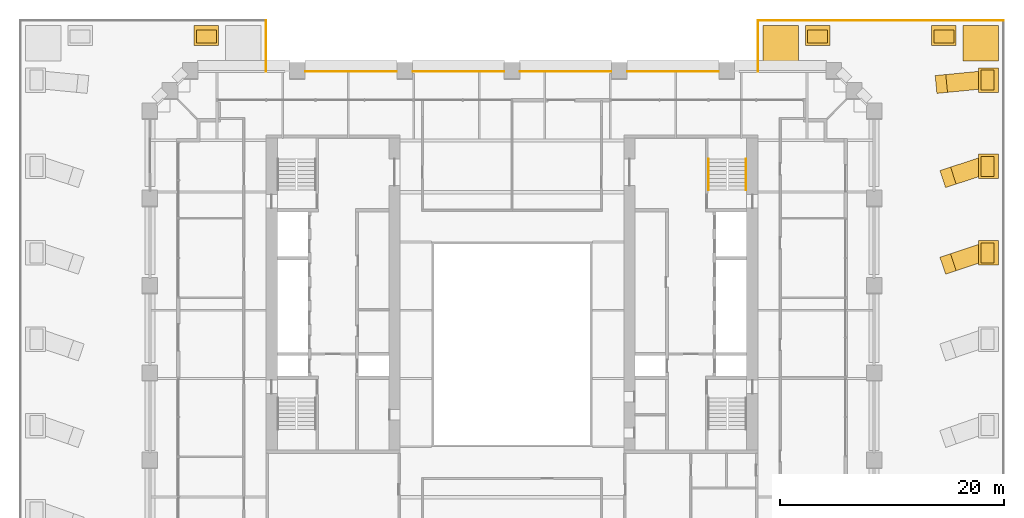
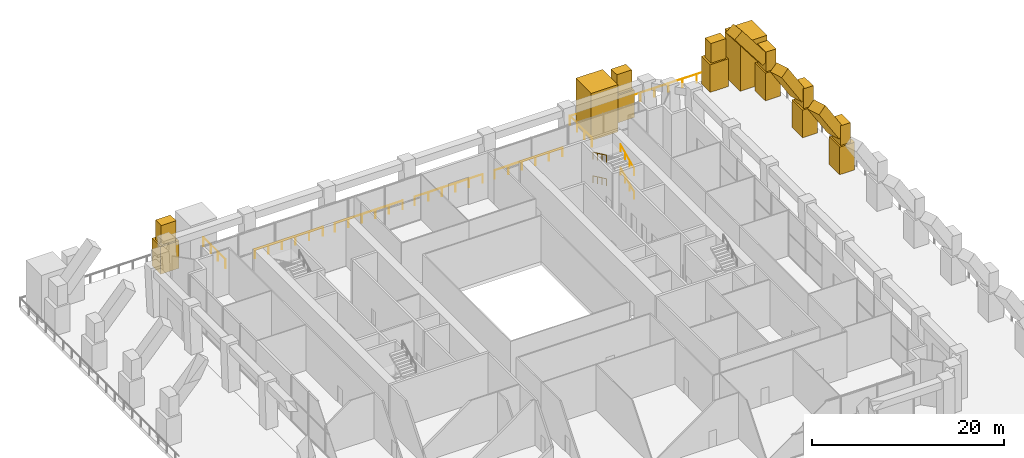
# One storey, part 20 of 20: 17 coverings, 11 railings.
"""IFC4 building model written with IfcOpenShell, lengths in metres."""

from ifc_helpers import new_model, si_unit, direction, frame, origin, origin_2d, place, context, subcontext, project, spatial, rectangle, circle, extrude, material, material_profile, profile_set, type_object, element, save


model = new_model("IFC4")

# Units and contexts
model_context = context("Model", 3, precision=1e-05, world=origin(), true_north=direction((0.0, 1.0)))
body_context = subcontext(model_context, "Body", "Model", "MODEL_VIEW")
ifc_project = project(units=[si_unit("LENGTHUNIT", "METRE"), si_unit("AREAUNIT", "SQUARE_METRE"), si_unit("VOLUMEUNIT", "CUBIC_METRE"), si_unit("PLANEANGLEUNIT", "RADIAN"), si_unit("MASSUNIT", "GRAM", prefix="KILO")], contexts=[model_context])

# Site, building, storey
site_placement = place(None, origin())
site = spatial("IfcSite", under=ifc_project, at=site_placement, CompositionType="ELEMENT")
building_placement = place(site_placement, origin())
building = spatial("IfcBuilding", under=site, at=building_placement, Name="Ogive Exchange Tower", CompositionType="ELEMENT")
storey_placement = place(building_placement, frame((0.0, 0.0, 33.60009765625)))
storey = spatial("IfcBuildingStorey", under=building, at=storey_placement, Name="L06", CompositionType="ELEMENT", Elevation=33.60009765625)

# Railings
ifc_material_1 = material(Name="Stainless steel 316", Category="steel")
railing_type_1 = type_object("IfcRailingType", Name="Balustrade 1100 glass and stainless steel", PredefinedType="BALUSTRADE", material=ifc_material_1)
railing_1_placement = place(storey_placement, frame((-22.0, 36.0, 0.0)))
element("IfcRailing", 1, at=railing_1_placement, inside=storey, type_object=railing_type_1, Name="Terrace balustrade 3", PredefinedType="BALUSTRADE", context=body_context, shape_type="SweptSolid", body=[
    extrude(circle(Radius=0.02392578125, at=origin_2d()), frame((0.0, 0.0, 1.076171875), z_axis=(0.0, -1.0, 0.0), x_axis=(1.0, 0.0, 0.0)), (0.0, 0.0, 1.0), 4.60009765625),
    extrude(circle(Radius=0.02099609375, at=origin_2d()), origin(), (0.0, 0.0, 1.0), 1.052001953125),
    extrude(circle(Radius=0.02099609375, at=origin_2d()), frame((0.0, -1.533447265625, 0.0)), (0.0, 0.0, 1.0), 1.052001953125),
    extrude(circle(Radius=0.02099609375, at=origin_2d()), frame((0.0, -3.066650390625, 0.0)), (0.0, 0.0, 1.0), 1.052001953125),
    extrude(circle(Radius=0.02099609375, at=origin_2d()), frame((0.0, -4.60009765625, 0.0)), (0.0, 0.0, 1.0), 1.052001953125),
])
railing_2_placement = place(storey_placement, frame((22.0, 31.39990234375, 0.0)))
element("IfcRailing", 2, at=railing_2_placement, inside=storey, type_object=railing_type_1, Name="Terrace balustrade 4", PredefinedType="BALUSTRADE", context=body_context, shape_type="SweptSolid", body=[
    extrude(circle(Radius=0.02392578125, at=origin_2d()), frame((0.0, 0.0, 1.076171875), z_axis=(0.0, 1.0, 0.0), x_axis=(-1.0, 0.0, 0.0)), (0.0, 0.0, 1.0), 4.60009765625),
    extrude(circle(Radius=0.02099609375, at=origin_2d()), origin(), (0.0, 0.0, 1.0), 1.052001953125),
    extrude(circle(Radius=0.02099609375, at=origin_2d()), frame((0.0, 1.533447265625, 0.0)), (0.0, 0.0, 1.0), 1.052001953125),
    extrude(circle(Radius=0.02099609375, at=origin_2d()), frame((0.0, 3.066650390625, 0.0)), (0.0, 0.0, 1.0), 1.052001953125),
    extrude(circle(Radius=0.02099609375, at=origin_2d()), frame((0.0, 4.60009765625, 0.0)), (0.0, 0.0, 1.0), 1.052001953125),
])
railing_3_placement = place(storey_placement, frame((22.0, 36.0, 0.0)))
element("IfcRailing", 3, at=railing_3_placement, inside=storey, type_object=railing_type_1, Name="Terrace balustrade 5", PredefinedType="BALUSTRADE", context=body_context, shape_type="SweptSolid", body=[
    extrude(circle(Radius=0.02392578125, at=origin_2d()), frame((0.0, 0.0, 1.076171875), z_axis=(1.0, 0.0, 0.0), x_axis=(0.0, 1.0, 0.0)), (0.0, 0.0, 1.0), 22.0),
    extrude(circle(Radius=0.02099609375, at=origin_2d()), origin(), (0.0, 0.0, 1.0), 1.052001953125),
    extrude(circle(Radius=0.02099609375, at=origin_2d()), frame((1.6923828125, 0.0, 0.0)), (0.0, 0.0, 1.0), 1.052001953125),
    extrude(circle(Radius=0.02099609375, at=origin_2d()), frame((3.384521484375, 0.0, 0.0)), (0.0, 0.0, 1.0), 1.052001953125),
    extrude(circle(Radius=0.02099609375, at=origin_2d()), frame((5.076904296875, 0.0, 0.0)), (0.0, 0.0, 1.0), 1.052001953125),
    extrude(circle(Radius=0.02099609375, at=origin_2d()), frame((6.769287109375, 0.0, 0.0)), (0.0, 0.0, 1.0), 1.052001953125),
    extrude(circle(Radius=0.02099609375, at=origin_2d()), frame((8.46142578125, 0.0, 0.0)), (0.0, 0.0, 1.0), 1.052001953125),
    extrude(circle(Radius=0.02099609375, at=origin_2d()), frame((10.15380859375, 0.0, 0.0)), (0.0, 0.0, 1.0), 1.052001953125),
    extrude(circle(Radius=0.02099609375, at=origin_2d()), frame((11.84619140625, 0.0, 0.0)), (0.0, 0.0, 1.0), 1.052001953125),
    extrude(circle(Radius=0.02099609375, at=origin_2d()), frame((13.53857421875, 0.0, 0.0)), (0.0, 0.0, 1.0), 1.052001953125),
    extrude(circle(Radius=0.02099609375, at=origin_2d()), frame((15.230712890625, 0.0, 0.0)), (0.0, 0.0, 1.0), 1.052001953125),
    extrude(circle(Radius=0.02099609375, at=origin_2d()), frame((16.923095703125, 0.0, 0.0)), (0.0, 0.0, 1.0), 1.052001953125),
    extrude(circle(Radius=0.02099609375, at=origin_2d()), frame((18.615478515625, 0.0, 0.0)), (0.0, 0.0, 1.0), 1.052001953125),
    extrude(circle(Radius=0.02099609375, at=origin_2d()), frame((20.3076171875, 0.0, 0.0)), (0.0, 0.0, 1.0), 1.052001953125),
    extrude(circle(Radius=0.02099609375, at=origin_2d()), frame((22.0, 0.0, 0.0)), (0.0, 0.0, 1.0), 1.052001953125),
])
railing_type_2 = type_object("IfcRailingType", Name="Guard 1100 stainless steel and glass", PredefinedType="GUARDRAIL", material=ifc_material_1)
for number, where, name in (
    (4, (18.47998046875, 31.39990234375, 0.0), "Loggia guard N01"),
    (5, (8.8798828125, 31.39990234375, 0.0), "Loggia guard N02"),
    (6, (-0.719970703125, 31.39990234375, 0.0), "Loggia guard N03"),
    (7, (-10.320068359375, 31.39990234375, 0.0), "Loggia guard N04"),
):
    element("IfcRailing", number, at=place(storey_placement, frame(where)), inside=storey, type_object=railing_type_2, Name=name, PredefinedType="GUARDRAIL", context=body_context, shape_type="SweptSolid", body=[
        extrude(circle(Radius=0.02392578125, at=origin_2d()), frame((0.0, 0.0, 1.076171875), z_axis=(-1.0, 0.0, 0.0), x_axis=(0.0, -1.0, 0.0)), (0.0, 0.0, 1.0), 8.159912109375),
        extrude(circle(Radius=0.02099609375, at=origin_2d()), origin(), (0.0, 0.0, 1.0), 1.052001953125),
        extrude(circle(Radius=0.02099609375, at=origin_2d()), frame((-1.632080078125, 0.0, 0.0)), (0.0, 0.0, 1.0), 1.052001953125),
        extrude(circle(Radius=0.02099609375, at=origin_2d()), frame((-3.263916015625, 0.0, 0.0)), (0.0, 0.0, 1.0), 1.052001953125),
        extrude(circle(Radius=0.02099609375, at=origin_2d()), frame((-4.89599609375, 0.0, 0.0)), (0.0, 0.0, 1.0), 1.052001953125),
        extrude(circle(Radius=0.02099609375, at=origin_2d()), frame((-6.52783203125, 0.0, 0.0)), (0.0, 0.0, 1.0), 1.052001953125),
        extrude(circle(Radius=0.02099609375, at=origin_2d()), frame((-8.159912109375, 0.0, 0.0)), (0.0, 0.0, 1.0), 1.052001953125),
    ])

# Coverings
ifc_material_2 = material(Name="Precast concrete C50/60", Category="concrete")
ifc_material_profile_1 = material_profile(ifc_material_2, rectangle(XDim=2.199951171875, YDim=1.800048828125, at=origin_2d()), Name="BUTTRESS PIER 1 2200 x 1800")
ifc_profile_set_1 = profile_set([ifc_material_profile_1], Name="Precast concrete C50/60")
covering_type_1 = type_object("IfcCoveringType", Name="Precast buttress pier stage 1 2200 x 1800 C50/60", PredefinedType="CLADDING", material=ifc_profile_set_1)
for number, where, z_axis, x_axis, name in (
    (8, (38.64990234375, 34.64990234375, 0.0), (0.0, 0.0, 1.0), (1.0, 0.0, 0.0), "Buttress pier 1 stage 1"),
    (9, (27.35009765625, 34.64990234375, 0.0), (0.0, 0.0, 1.0), (1.0, 0.0, 0.0), "Buttress pier 2 stage 1"),
    (10, (-27.35009765625, 34.64990234375, 0.0), (0.0, 0.0, 1.0), (1.0, 0.0, 0.0), "Buttress pier 3 stage 1"),
    (11, (42.64990234375, 15.18994140625, 0.0), (0.0, 0.0, 1.0), (0.0, 1.0, 0.0), "Buttress pier 35 stage 1"),
    (12, (42.64990234375, 22.919921875, 0.0), (0.0, 0.0, 1.0), (0.0, 1.0, 0.0), "Buttress pier 36 stage 1"),
    (13, (42.64990234375, 30.64990234375, 0.0), (0.0, 0.0, 1.0), (0.0, 1.0, 0.0), "Buttress pier 37 stage 1"),
):
    element("IfcCovering", number, at=place(storey_placement, frame(where, z_axis=z_axis, x_axis=x_axis)), inside=storey, type_object=covering_type_1, Name=name, PredefinedType="CLADDING", context=body_context, shape_type="SweptSolid", body=[
        extrude(rectangle(XDim=2.199951171875, YDim=1.800048828125, at=origin_2d()), origin(), (0.0, 0.0, 1.0), 3.5),
    ])
ifc_material_profile_2 = material_profile(ifc_material_2, rectangle(XDim=1.800048828125, YDim=1.199951171875, at=origin_2d()), Name="BUTTRESS PIER 2 1800 x 1200")
ifc_profile_set_2 = profile_set([ifc_material_profile_2], Name="Precast concrete C50/60")
covering_type_2 = type_object("IfcCoveringType", Name="Precast buttress pier stage 2 1800 x 1200 C50/60", PredefinedType="CLADDING", material=ifc_profile_set_2)
for number, where, z_axis, x_axis, name in (
    (14, (38.64990234375, 34.550048828125, 3.5), (0.0, 0.0, 1.0), (1.0, 0.0, 0.0), "Buttress pier 1 stage 2"),
    (15, (27.35009765625, 34.550048828125, 3.5), (0.0, 0.0, 1.0), (1.0, 0.0, 0.0), "Buttress pier 2 stage 2"),
    (16, (-27.35009765625, 34.550048828125, 3.5), (0.0, 0.0, 1.0), (1.0, 0.0, 0.0), "Buttress pier 3 stage 2"),
    (17, (42.550048828125, 15.18994140625, 3.5), (0.0, 0.0, 1.0), (0.0, 1.0, 0.0), "Buttress pier 35 stage 2"),
    (18, (42.550048828125, 22.919921875, 3.5), (0.0, 0.0, 1.0), (0.0, 1.0, 0.0), "Buttress pier 36 stage 2"),
    (19, (42.550048828125, 30.64990234375, 3.5), (0.0, 0.0, 1.0), (0.0, 1.0, 0.0), "Buttress pier 37 stage 2"),
):
    element("IfcCovering", number, at=place(storey_placement, frame(where, z_axis=z_axis, x_axis=x_axis)), inside=storey, type_object=covering_type_2, Name=name, PredefinedType="CLADDING", context=body_context, shape_type="SweptSolid", body=[
        extrude(rectangle(XDim=1.800048828125, YDim=1.199951171875, at=origin_2d()), origin(), (0.0, 0.0, 1.0), 2.5),
    ])
ifc_material_profile_3 = material_profile(ifc_material_2, rectangle(XDim=3.199951171875, YDim=3.199951171875, at=origin_2d()), Name="CORNER TURRET 1 3200 x 3200")
ifc_profile_set_3 = profile_set([ifc_material_profile_3], Name="Precast concrete C50/60")
covering_type_3 = type_object("IfcCoveringType", Name="Precast corner turret stage 1 3200 x 3200 C50/60", PredefinedType="CLADDING", material=ifc_profile_set_3)
for number, where, z_axis, x_axis, name in (
    (20, (41.949951171875, 33.949951171875, 0.0), (0.0, 0.0, 1.0), (1.0, 0.0, 0.0), "Corner turret 1 stage 1"),
    (21, (24.050048828125, 33.949951171875, 0.0), (0.0, 0.0, 1.0), (1.0, 0.0, 0.0), "Corner turret 2 stage 1"),
):
    element("IfcCovering", number, at=place(storey_placement, frame(where, z_axis=z_axis, x_axis=x_axis)), inside=storey, type_object=covering_type_3, Name=name, PredefinedType="CLADDING", context=body_context, shape_type="SweptSolid", body=[
        extrude(rectangle(XDim=3.199951171875, YDim=3.199951171875, at=origin_2d()), origin(), (0.0, 0.0, 1.0), 6.0),
    ])
ifc_material_profile_4 = material_profile(ifc_material_2, rectangle(XDim=1.60009765625, YDim=1.199951171875, at=origin_2d()), Name="FLYING BUTTRESS 1 1600 x 1200")
ifc_profile_set_4 = profile_set([ifc_material_profile_4], Name="Precast concrete C50/60")
covering_type_4 = type_object("IfcCoveringType", Name="Precast flying buttress stage 1 1600 x 1200 C50/60", PredefinedType="CLADDING", material=ifc_profile_set_4)
covering_1_placement = place(storey_placement, frame((42.0, 30.64990234375, 4.75), z_axis=(-0.60342826564, -0.058920189743, 0.795237536505), x_axis=(0.097180248137, -0.995266798086, 0.0)))
element("IfcCovering", 22, at=covering_1_placement, inside=storey, type_object=covering_type_4, Name="Flying buttress 2 stage 1", PredefinedType="CLADDING", context=body_context, shape_type="SweptSolid", body=[
    extrude(rectangle(XDim=1.60009765625, YDim=1.199951171875, at=origin_2d()), origin(), (0.0, 0.0, 1.0), 5.937744140625),
])
covering_2_placement = place(storey_placement, frame((42.0, 22.919921875, 4.75), z_axis=(-0.526152302022, -0.17160884953, 0.832895046113), x_axis=(0.310081758742, -0.950709894182, 0.0)))
element("IfcCovering", 23, at=covering_2_placement, inside=storey, type_object=covering_type_4, Name="Flying buttress 6 stage 1", PredefinedType="CLADDING", context=body_context, shape_type="SweptSolid", body=[
    extrude(rectangle(XDim=1.60009765625, YDim=1.199951171875, at=origin_2d()), origin(), (0.0, 0.0, 1.0), 5.669189453125),
])
covering_3_placement = place(storey_placement, frame((42.0, 15.18994140625, 4.75), z_axis=(-0.525766984395, -0.175700327163, 0.832285091273), x_axis=(0.316949602278, -0.948442380757, 0.0)))
element("IfcCovering", 24, at=covering_3_placement, inside=storey, type_object=covering_type_4, Name="Flying buttress 7 stage 1", PredefinedType="CLADDING", context=body_context, shape_type="SweptSolid", body=[
    extrude(rectangle(XDim=1.60009765625, YDim=1.199951171875, at=origin_2d()), origin(), (0.0, 0.0, 1.0), 5.67333984375),
])

# Railings
ifc_material_3 = material(Name="Stainless steel", Category="steel")
railing_type_3 = type_object("IfcRailingType", Name="Stair handrail 900", PredefinedType="HANDRAIL", material=ifc_material_3)
railing_4_placement = place(storey_placement, frame((20.949951171875, 20.800048828125, 0.16650390625)))
element("IfcRailing", 25, at=railing_4_placement, inside=storey, type_object=railing_type_3, Name="L06 ST4 stair handrail 1", PredefinedType="HANDRAIL", context=body_context, shape_type="SweptSolid", body=[
    extrude(circle(Radius=0.02392578125, at=origin_2d()), frame((0.0, 0.0, 0.8759765625), z_axis=(0.0, 0.903307180593, 0.428994332701), x_axis=(-1.0, 0.0, 0.0)), (0.0, 0.0, 1.0), 3.1083984375),
    extrude(circle(Radius=0.02099609375, at=origin_2d()), origin(), (0.0, 0.0, 1.0), 0.851806640625),
    extrude(circle(Radius=0.02099609375, at=origin_2d()), frame((0.0, 0.93603515625, 0.444580078125)), (0.0, 0.0, 1.0), 0.851806640625),
    extrude(circle(Radius=0.02099609375, at=origin_2d()), frame((0.0, 1.871826171875, 0.888916015625)), (0.0, 0.0, 1.0), 0.851806640625),
    extrude(circle(Radius=0.02099609375, at=origin_2d()), frame((0.0, 2.807861328125, 1.33349609375)), (0.0, 0.0, 1.0), 0.851806640625),
])
railing_5_placement = place(storey_placement, frame((17.60009765625, 23.60791015625, 1.66650390625)))
element("IfcRailing", 26, at=railing_5_placement, inside=storey, type_object=railing_type_3, Name="L06 ST4 stair handrail 2", PredefinedType="HANDRAIL", context=body_context, shape_type="SweptSolid", body=[
    extrude(circle(Radius=0.02392578125, at=origin_2d()), frame((0.0, 0.0, 0.8759765625), z_axis=(0.0, -0.903307180593, 0.428994332701), x_axis=(1.0, 0.0, 0.0)), (0.0, 0.0, 1.0), 3.1083984375),
    extrude(circle(Radius=0.02099609375, at=origin_2d()), origin(), (0.0, 0.0, 1.0), 0.851806640625),
    extrude(circle(Radius=0.02099609375, at=origin_2d()), frame((0.0, -0.93603515625, 0.444580078125)), (0.0, 0.0, 1.0), 0.851806640625),
    extrude(circle(Radius=0.02099609375, at=origin_2d()), frame((0.0, -1.871826171875, 0.888916015625)), (0.0, 0.0, 1.0), 0.851806640625),
    extrude(circle(Radius=0.02099609375, at=origin_2d()), frame((0.0, -2.807861328125, 1.33349609375)), (0.0, 0.0, 1.0), 0.851806640625),
])
railing_6_placement = place(storey_placement, frame((20.949951171875, 20.800048828125, 3.16650390625)))
element("IfcRailing", 27, at=railing_6_placement, inside=storey, type_object=railing_type_3, Name="L06 ST4 stair handrail 3", PredefinedType="HANDRAIL", context=body_context, shape_type="SweptSolid", body=[
    extrude(circle(Radius=0.02392578125, at=origin_2d()), frame((0.0, 0.0, 0.8759765625), z_axis=(0.0, 0.903307180593, 0.428994332701), x_axis=(-1.0, 0.0, 0.0)), (0.0, 0.0, 1.0), 3.1083984375),
    extrude(circle(Radius=0.02099609375, at=origin_2d()), origin(), (0.0, 0.0, 1.0), 0.851806640625),
    extrude(circle(Radius=0.02099609375, at=origin_2d()), frame((0.0, 0.93603515625, 0.444580078125)), (0.0, 0.0, 1.0), 0.851806640625),
    extrude(circle(Radius=0.02099609375, at=origin_2d()), frame((0.0, 1.871826171875, 0.888916015625)), (0.0, 0.0, 1.0), 0.851806640625),
    extrude(circle(Radius=0.02099609375, at=origin_2d()), frame((0.0, 2.807861328125, 1.33349609375)), (0.0, 0.0, 1.0), 0.851806640625),
])
railing_7_placement = place(storey_placement, frame((17.60009765625, 23.60791015625, 4.66650390625)))
element("IfcRailing", 28, at=railing_7_placement, inside=storey, type_object=railing_type_3, Name="L06 ST4 stair handrail 4", PredefinedType="HANDRAIL", context=body_context, shape_type="SweptSolid", body=[
    extrude(circle(Radius=0.02392578125, at=origin_2d()), frame((0.0, 0.0, 0.8759765625), z_axis=(0.0, -0.903307180593, 0.428994332701), x_axis=(1.0, 0.0, 0.0)), (0.0, 0.0, 1.0), 3.1083984375),
    extrude(circle(Radius=0.02099609375, at=origin_2d()), origin(), (0.0, 0.0, 1.0), 0.851806640625),
    extrude(circle(Radius=0.02099609375, at=origin_2d()), frame((0.0, -0.93603515625, 0.444580078125)), (0.0, 0.0, 1.0), 0.851806640625),
    extrude(circle(Radius=0.02099609375, at=origin_2d()), frame((0.0, -1.871826171875, 0.888916015625)), (0.0, 0.0, 1.0), 0.851806640625),
    extrude(circle(Radius=0.02099609375, at=origin_2d()), frame((0.0, -2.807861328125, 1.33349609375)), (0.0, 0.0, 1.0), 0.851806640625),
])

save(model, "model.ifc")
